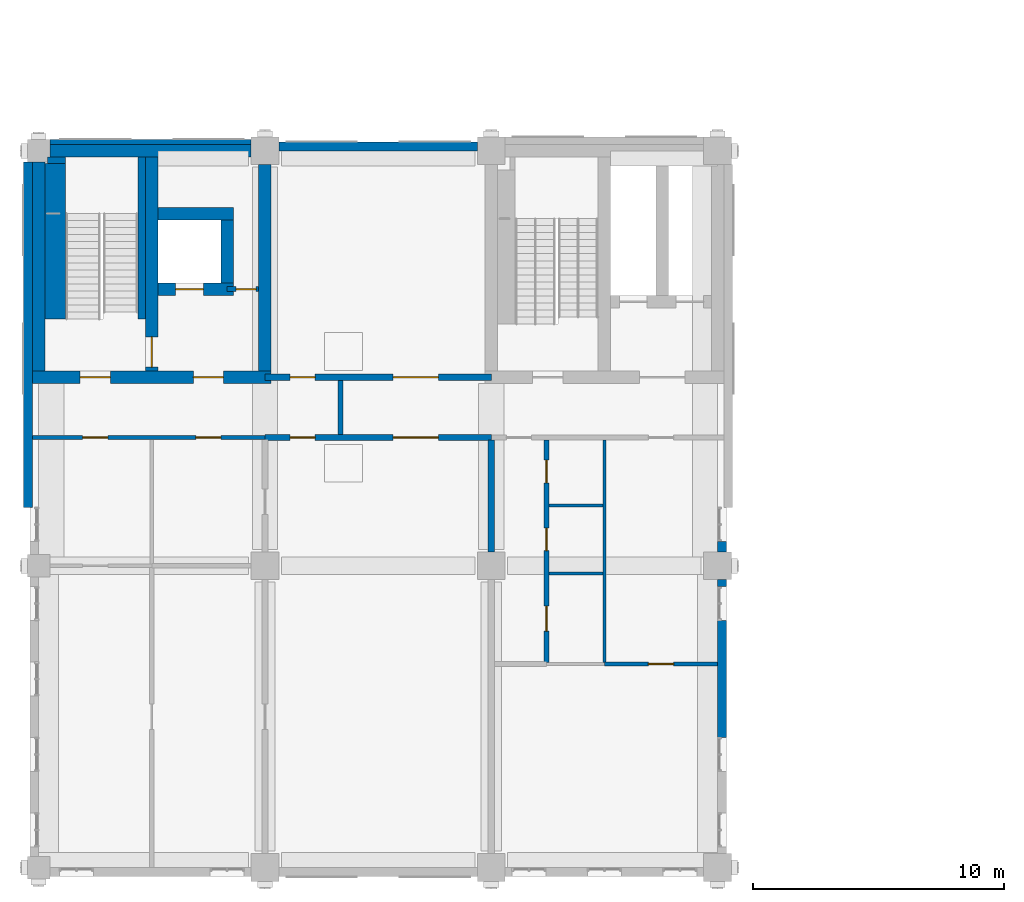
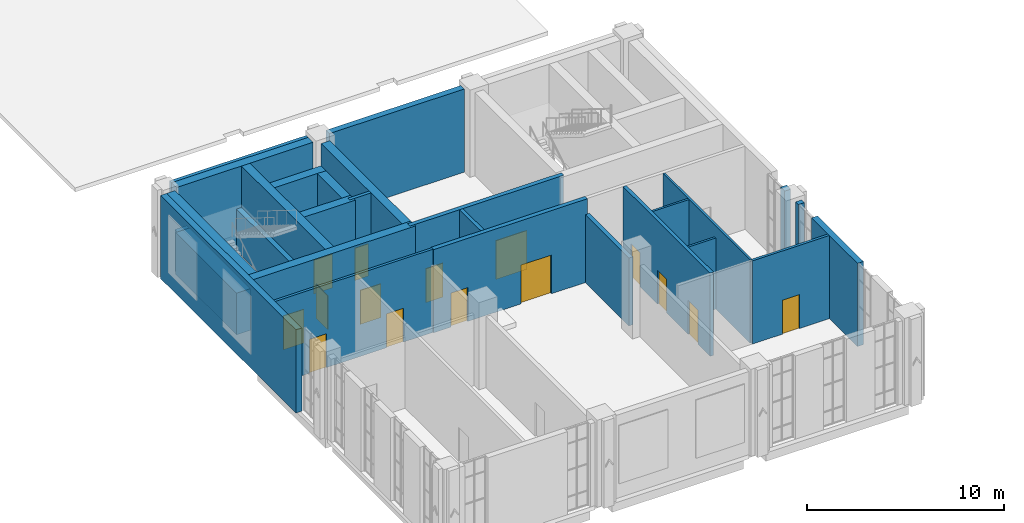
# One storey, part 19 of 33: 28 walls, 15 doors, 15 openings.
"""IFC4 building model written with IfcOpenShell, lengths in metres."""

from ifc_helpers import new_model, si_unit, direction, frame, frame_2d, origin, place, context, subcontext, project, spatial, rectangle, extrude, material, layer, layer_set, type_object, element, fill, save


model = new_model("IFC4")

# Units and contexts
model_context = context("Model", 3, precision=1e-05, world=origin(), true_north=direction((0.0, 1.0)))
body_context = subcontext(model_context, "Body", "Model", "MODEL_VIEW")
ifc_project = project(units=[si_unit("LENGTHUNIT", "METRE"), si_unit("AREAUNIT", "SQUARE_METRE"), si_unit("VOLUMEUNIT", "CUBIC_METRE"), si_unit("PLANEANGLEUNIT", "RADIAN"), si_unit("MASSUNIT", "GRAM", prefix="KILO")], contexts=[model_context])

# Site, building, storey
site_placement = place(None, origin())
site = spatial("IfcSite", under=ifc_project, at=site_placement, CompositionType="ELEMENT")
building_placement = place(site_placement, origin())
building = spatial("IfcBuilding", under=site, at=building_placement, Name="Aurelan Courthouse", CompositionType="ELEMENT")
storey_placement = place(building_placement, frame((0.0, 0.0, 22.800048828125)))
storey = spatial("IfcBuildingStorey", under=building, at=storey_placement, Name="L04", CompositionType="ELEMENT", Elevation=22.800048828125)

# Wall, openings, doors
ifc_material_1 = material(Name="Gypsum board on metal studs")
ifc_layer_1 = layer(ifc_material_1, 0.14990234375)
ifc_layer_set_1 = layer_set([ifc_layer_1], Name="Gypsum board on metal studs")
wall_type_1 = type_object("IfcWallType", Name="Corridor partition 150 EI 60", PredefinedType="PARTITIONING", material=ifc_layer_set_1)
wall_1_placement = place(storey_placement, frame((-0.25, 17.10009765625, 0.0), z_axis=(0.0, 0.0, 1.0), x_axis=(1.0, 0.0, 0.0)))
wall_1 = element("IfcWall", 1, at=wall_1_placement, inside=storey, type_object=wall_type_1, Name="Corridor partition L04-008", PredefinedType="PARTITIONING", context=body_context, shape_type="SweptSolid", body=[
    extrude(rectangle(XDim=9.25, YDim=0.14990234375, at=frame_2d((4.625, 0.0))), origin(), (0.0, 0.0, 1.0), 5.14990234375),
])
opening_1_placement = place(wall_1_placement, frame((3.0, 0.0, 0.0), z_axis=(0.0, 0.0, 1.0), x_axis=(-1.0, 0.0, 0.0)))
opening_1 = element("IfcOpeningElement", 2, at=opening_1_placement, cuts=wall_1, Name="Opening D-L04-061", PredefinedType="OPENING", context=body_context, shape_type="SweptSolid", body=[
    extrude(rectangle(XDim=1.0, YDim=2.10009765625, at=frame_2d((0.5, 1.050048828125))), frame((0.0, 0.0849609375, 0.0), z_axis=(0.0, -1.0, 0.0), x_axis=(1.0, 0.0, 0.0)), (0.0, 0.0, 1.0), 0.169921875),
])
opening_2_placement = place(wall_1_placement, frame((7.5, 0.0, 0.0), z_axis=(0.0, 0.0, 1.0), x_axis=(-1.0, 0.0, 0.0)))
opening_2 = element("IfcOpeningElement", 3, at=opening_2_placement, cuts=wall_1, Name="Opening D-L04-062", PredefinedType="OPENING", context=body_context, shape_type="SweptSolid", body=[
    extrude(rectangle(XDim=1.0, YDim=2.10009765625, at=frame_2d((0.5, 1.050048828125))), frame((0.0, 0.0849609375, 0.0), z_axis=(0.0, -1.0, 0.0), x_axis=(1.0, 0.0, 0.0)), (0.0, 0.0, 1.0), 0.169921875),
])
ifc_material_2 = material(Name="Steel", Category="steel")
door_type_1 = type_object("IfcDoorType", Name="Single door 1000 x 2100 FD60", OperationType="SINGLE_SWING_LEFT", PredefinedType="DOOR", material=ifc_material_2)
door_1_placement = place(opening_1_placement, origin())
door_1 = element("IfcDoor", 4, at=door_1_placement, inside=storey, type_object=door_type_1, Name="Single door D-L04-061", OperationType="SINGLE_SWING_LEFT", OverallHeight=2.10009765625, OverallWidth=1.0, PredefinedType="DOOR", context=body_context, shape_type="SweptSolid", body=[
    extrude(rectangle(XDim=1.0, YDim=2.10009765625, at=frame_2d((0.5, 1.050048828125))), frame((0.0, 0.02490234375, 0.0), z_axis=(0.0, -1.0, 0.0), x_axis=(1.0, 0.0, 0.0)), (0.0, 0.0, 1.0), 0.050048828125),
])
fill(opening_1, door_1)
door_2_placement = place(opening_2_placement, origin())
door_2 = element("IfcDoor", 5, at=door_2_placement, inside=storey, type_object=door_type_1, Name="Single door D-L04-062", OperationType="SINGLE_SWING_RIGHT", OverallHeight=2.10009765625, OverallWidth=1.0, PredefinedType="DOOR", context=body_context, shape_type="SweptSolid", body=[
    extrude(rectangle(XDim=1.0, YDim=2.10009765625, at=frame_2d((0.5, 1.050048828125))), frame((0.0, 0.02490234375, 0.0), z_axis=(0.0, -1.0, 0.0), x_axis=(1.0, 0.0, 0.0)), (0.0, 0.0, 1.0), 0.050048828125),
])
fill(opening_2, door_2)

ifc_material_3 = material(Name="Masonry block", Category="masonry")
ifc_layer_2 = layer(ifc_material_3, 0.25)
ifc_layer_set_2 = layer_set([ifc_layer_2], Name="Masonry block")
wall_type_2 = type_object("IfcWallType", Name="Courtroom wall 250 EI 60", PredefinedType="PARTITIONING", material=ifc_layer_set_2)
wall_2_placement = place(storey_placement, frame((9.0, 17.10009765625, 0.0), z_axis=(0.0, 0.0, 1.0), x_axis=(1.0, 0.0, 0.0)))
wall_2 = element("IfcWall", 6, at=wall_2_placement, inside=storey, type_object=wall_type_2, Name="Courtroom wall L04-009", PredefinedType="PARTITIONING", context=body_context, shape_type="SweptSolid", body=[
    extrude(rectangle(XDim=9.0, YDim=0.25, at=frame_2d((4.5, 0.0))), origin(), (0.0, 0.0, 1.0), 5.14990234375),
])
opening_3_placement = place(wall_2_placement, frame((6.900146484375, 0.0, 0.0), z_axis=(0.0, 0.0, 1.0), x_axis=(-1.0, 0.0, 0.0)))
opening_3 = element("IfcOpeningElement", 7, at=opening_3_placement, cuts=wall_2, Name="Opening D-L04-057", PredefinedType="OPENING", context=body_context, shape_type="SweptSolid", body=[
    extrude(rectangle(XDim=1.800048828125, YDim=2.39990234375, at=frame_2d((0.89990234375, 1.199951171875))), frame((0.0, 0.135009765625, 0.0), z_axis=(0.0, -1.0, 0.0), x_axis=(1.0, 0.0, 0.0)), (0.0, 0.0, 1.0), 0.27001953125),
])
opening_4_placement = place(wall_2_placement, frame((2.0, 0.0, 0.0), z_axis=(0.0, 0.0, 1.0), x_axis=(-1.0, 0.0, 0.0)))
opening_4 = element("IfcOpeningElement", 8, at=opening_4_placement, cuts=wall_2, Name="Opening D-L04-058", PredefinedType="OPENING", context=body_context, shape_type="SweptSolid", body=[
    extrude(rectangle(XDim=1.0, YDim=2.10009765625, at=frame_2d((0.5, 1.050048828125))), frame((0.0, 0.135009765625, 0.0), z_axis=(0.0, -1.0, 0.0), x_axis=(1.0, 0.0, 0.0)), (0.0, 0.0, 1.0), 0.27001953125),
])
door_type_2 = type_object("IfcDoorType", Name="Double door 1800 x 2400 FD30", OperationType="DOUBLE_DOOR_SINGLE_SWING", PredefinedType="DOOR", material=ifc_material_2)
door_3_placement = place(opening_3_placement, origin())
door_3 = element("IfcDoor", 9, at=door_3_placement, inside=storey, type_object=door_type_2, Name="Double door D-L04-057", OperationType="DOUBLE_DOOR_SINGLE_SWING", OverallHeight=2.39990234375, OverallWidth=1.800048828125, PredefinedType="DOOR", context=body_context, shape_type="SweptSolid", body=[
    extrude(rectangle(XDim=1.800048828125, YDim=2.39990234375, at=frame_2d((0.89990234375, 1.199951171875))), frame((0.0, 0.02490234375, 0.0), z_axis=(0.0, -1.0, 0.0), x_axis=(1.0, 0.0, 0.0)), (0.0, 0.0, 1.0), 0.050048828125),
])
fill(opening_3, door_3)
door_type_3 = type_object("IfcDoorType", Name="Single door 1000 x 2100 FD30", OperationType="SINGLE_SWING_LEFT", PredefinedType="DOOR", material=ifc_material_2)
door_4_placement = place(opening_4_placement, origin())
door_4 = element("IfcDoor", 10, at=door_4_placement, inside=storey, type_object=door_type_3, Name="Single door D-L04-058", OperationType="SINGLE_SWING_RIGHT", OverallHeight=2.10009765625, OverallWidth=1.0, PredefinedType="DOOR", context=body_context, shape_type="SweptSolid", body=[
    extrude(rectangle(XDim=1.0, YDim=2.10009765625, at=frame_2d((0.5, 1.050048828125))), frame((0.0, 0.02490234375, 0.0), z_axis=(0.0, -1.0, 0.0), x_axis=(1.0, 0.0, 0.0)), (0.0, 0.0, 1.0), 0.050048828125),
])
fill(opening_4, door_4)

wall_3_placement = place(storey_placement, frame((9.0, 19.5, 0.0), z_axis=(0.0, 0.0, 1.0), x_axis=(1.0, 0.0, 0.0)))
wall_3 = element("IfcWall", 11, at=wall_3_placement, inside=storey, type_object=wall_type_2, Name="Courtroom wall L04-011", PredefinedType="PARTITIONING", context=body_context, shape_type="SweptSolid", body=[
    extrude(rectangle(XDim=9.0, YDim=0.25, at=frame_2d((4.5, 0.0))), origin(), (0.0, 0.0, 1.0), 5.14990234375),
])
opening_5_placement = place(wall_3_placement, frame((5.10009765625, 0.0, 0.0)))
opening_5 = element("IfcOpeningElement", 12, at=opening_5_placement, cuts=wall_3, Name="Opening D-L04-059", PredefinedType="OPENING", context=body_context, shape_type="SweptSolid", body=[
    extrude(rectangle(XDim=1.800048828125, YDim=2.39990234375, at=frame_2d((0.89990234375, 1.199951171875))), frame((0.0, 0.135009765625, 0.0), z_axis=(0.0, -1.0, 0.0), x_axis=(1.0, 0.0, 0.0)), (0.0, 0.0, 1.0), 0.27001953125),
])
opening_6_placement = place(wall_3_placement, frame((1.0, 0.0, 0.0)))
opening_6 = element("IfcOpeningElement", 13, at=opening_6_placement, cuts=wall_3, Name="Opening D-L04-060", PredefinedType="OPENING", context=body_context, shape_type="SweptSolid", body=[
    extrude(rectangle(XDim=1.0, YDim=2.10009765625, at=frame_2d((0.5, 1.050048828125))), frame((0.0, 0.135009765625, 0.0), z_axis=(0.0, -1.0, 0.0), x_axis=(1.0, 0.0, 0.0)), (0.0, 0.0, 1.0), 0.27001953125),
])
door_5_placement = place(opening_5_placement, origin())
door_5 = element("IfcDoor", 14, at=door_5_placement, inside=storey, type_object=door_type_2, Name="Double door D-L04-059", OperationType="DOUBLE_DOOR_SINGLE_SWING", OverallHeight=2.39990234375, OverallWidth=1.800048828125, PredefinedType="DOOR", context=body_context, shape_type="SweptSolid", body=[
    extrude(rectangle(XDim=1.800048828125, YDim=2.39990234375, at=frame_2d((0.89990234375, 1.199951171875))), frame((0.0, 0.02490234375, 0.0), z_axis=(0.0, -1.0, 0.0), x_axis=(1.0, 0.0, 0.0)), (0.0, 0.0, 1.0), 0.050048828125),
])
fill(opening_5, door_5)
door_6_placement = place(opening_6_placement, origin())
door_6 = element("IfcDoor", 15, at=door_6_placement, inside=storey, type_object=door_type_3, Name="Single door D-L04-060", OperationType="SINGLE_SWING_LEFT", OverallHeight=2.10009765625, OverallWidth=1.0, PredefinedType="DOOR", context=body_context, shape_type="SweptSolid", body=[
    extrude(rectangle(XDim=1.0, YDim=2.10009765625, at=frame_2d((0.5, 1.050048828125))), frame((0.0, 0.02490234375, 0.0), z_axis=(0.0, -1.0, 0.0), x_axis=(1.0, 0.0, 0.0)), (0.0, 0.0, 1.0), 0.050048828125),
])
fill(opening_6, door_6)

# Walls
wall_4_placement = place(storey_placement, frame((18.0, 12.550048828125, 0.0), z_axis=(0.0, 0.0, 1.0), x_axis=(0.0, 1.0, 0.0)))
element("IfcWall", 16, at=wall_4_placement, inside=storey, type_object=wall_type_2, Name="Courtroom wall L04-047", PredefinedType="PARTITIONING", context=body_context, shape_type="SweptSolid", body=[
    extrude(rectangle(XDim=4.449951171875, YDim=0.25, at=frame_2d((2.22509765625, 0.0))), origin(), (0.0, 0.0, 1.0), 4.199951171875),
])
ifc_material_4 = material(Name="Limestone cladding", Category="masonry")
ifc_layer_3 = layer(ifc_material_4, 0.054931640625, Name="Facing")
ifc_material_5 = material(Name="Ventilated cavity")
ifc_layer_4 = layer(ifc_material_5, 0.02490234375, ventilated=True, Name="Ventilated cavity")
ifc_material_6 = material(Name="Mineral wool insulation")
ifc_layer_5 = layer(ifc_material_6, 0.030029296875, Name="Insulation")
ifc_material_7 = material(Name="Concrete C30", Category="concrete")
ifc_layer_6 = layer(ifc_material_7, 0.090087890625, Name="Structure")
ifc_layer_set_3 = layer_set([ifc_layer_3, ifc_layer_4, ifc_layer_5, ifc_layer_6], Name="Concrete C30")
wall_type_3 = type_object("IfcWallType", Name="Courts' Floors stone-faced wall 200", PredefinedType="SOLIDWALL", material=ifc_layer_set_3)
wall_5_placement = place(storey_placement, frame((0.449951171875, 28.85009765625, 0.0), z_axis=(0.0, 0.0, 1.0), x_axis=(1.0, 0.0, 0.0)))
element("IfcWall", 17, at=wall_5_placement, inside=storey, type_object=wall_type_3, Name="Facade wall FW-V5-L04-009", PredefinedType="SOLIDWALL", context=body_context, shape_type="SweptSolid", body=[
    extrude(rectangle(XDim=8.0, YDim=0.199951171875, at=frame_2d((4.0, 0.0))), origin(), (0.0, 0.0, 1.0), 5.14990234375),
])
ifc_layer_7 = layer(ifc_material_4, 0.10009765625, Name="Facing")
ifc_layer_8 = layer(ifc_material_5, 0.02490234375, ventilated=True, Name="Ventilated cavity")
ifc_layer_9 = layer(ifc_material_6, 0.050048828125, Name="Insulation")
ifc_layer_10 = layer(ifc_material_7, 0.175048828125, Name="Structure")
ifc_layer_set_4 = layer_set([ifc_layer_7, ifc_layer_8, ifc_layer_9, ifc_layer_10], Name="Concrete C30")
wall_type_4 = type_object("IfcWallType", Name="Courts' Floors stone-faced wall 350", PredefinedType="SOLIDWALL", material=ifc_layer_set_4)
wall_6_placement = place(storey_placement, frame((9.550048828125, 28.675048828125, 0.0), z_axis=(0.0, 0.0, 1.0), x_axis=(1.0, 0.0, 0.0)))
element("IfcWall", 18, at=wall_6_placement, inside=storey, type_object=wall_type_4, Name="Facade wall FW-V5-L04-010", PredefinedType="SOLIDWALL", context=body_context, shape_type="SweptSolid", body=[
    extrude(rectangle(XDim=7.89990234375, YDim=0.35009765625, at=frame_2d((3.949951171875, 0.0))), origin(), (0.0, 0.0, 1.0), 5.14990234375),
])
wall_7_placement = place(storey_placement, frame((27.175048828125, 5.175048828125, 0.0), z_axis=(0.0, 0.0, 1.0), x_axis=(0.0, 1.0, 0.0)))
element("IfcWall", 19, at=wall_7_placement, inside=storey, type_object=wall_type_4, Name="Facade wall FW-V5-L04-014", PredefinedType="SOLIDWALL", context=body_context, shape_type="SweptSolid", body=[
    extrude(rectangle(XDim=4.64990234375, YDim=0.35009765625, at=frame_2d((2.324951171875, 0.0))), origin(), (0.0, 0.0, 1.0), 5.14990234375),
])
wall_8_placement = place(storey_placement, frame((27.175048828125, 11.175048828125, 0.0), z_axis=(0.0, 0.0, 1.0), x_axis=(0.0, 1.0, 0.0)))
element("IfcWall", 20, at=wall_8_placement, inside=storey, type_object=wall_type_4, Name="Facade wall FW-V5-L04-015", PredefinedType="SOLIDWALL", context=body_context, shape_type="SweptSolid", body=[
    extrude(rectangle(XDim=0.27490234375, YDim=0.35009765625, at=frame_2d((0.137451171875, 0.0))), origin(), (0.0, 0.0, 1.0), 5.14990234375),
])
wall_9_placement = place(storey_placement, frame((27.175048828125, 12.550048828125, 0.0), z_axis=(0.0, 0.0, 1.0), x_axis=(0.0, 1.0, 0.0)))
element("IfcWall", 21, at=wall_9_placement, inside=storey, type_object=wall_type_4, Name="Facade wall FW-V5-L04-016", PredefinedType="SOLIDWALL", context=body_context, shape_type="SweptSolid", body=[
    extrude(rectangle(XDim=0.425048828125, YDim=0.35009765625, at=frame_2d((0.21240234375, 0.0))), origin(), (0.0, 0.0, 1.0), 5.14990234375),
])
wall_10_placement = place(storey_placement, frame((-0.425048828125, 14.324951171875, 0.0), z_axis=(0.0, 0.0, 1.0), x_axis=(0.0, 1.0, 0.0)))
element("IfcWall", 22, at=wall_10_placement, inside=storey, type_object=wall_type_4, Name="Facade wall FW-V5-L04-024", PredefinedType="SOLIDWALL", context=body_context, shape_type="SweptSolid", body=[
    extrude(rectangle(XDim=13.72509765625, YDim=0.35009765625, at=frame_2d((6.862548828125, 0.0))), origin(), (0.0, 0.0, 1.0), 5.14990234375),
])
ifc_layer_11 = layer(ifc_material_3, 0.199951171875)
ifc_layer_set_5 = layer_set([ifc_layer_11], Name="Masonry block")
wall_type_5 = type_object("IfcWallType", Name="Lift lobby wall 200 EI 60", PredefinedType="PARTITIONING", material=ifc_layer_set_5)
wall_11_placement = place(storey_placement, frame((12.0, 17.22509765625, 0.0), z_axis=(0.0, 0.0, 1.0), x_axis=(0.0, 1.0, 0.0)))
element("IfcWall", 23, at=wall_11_placement, inside=storey, type_object=wall_type_5, Name="Lift lobby wall L04-045", PredefinedType="PARTITIONING", context=body_context, shape_type="SweptSolid", body=[
    extrude(rectangle(XDim=2.14990234375, YDim=0.199951171875, at=frame_2d((1.074951171875, 0.0))), origin(), (0.0, 0.0, 1.0), 5.14990234375),
])

# Wall, openings, doors
wall_12_placement = place(storey_placement, frame((20.199951171875, 8.16259765625, 0.0), z_axis=(0.0, 0.0, 1.0), x_axis=(0.0, 1.0, 0.0)))
wall_12 = element("IfcWall", 24, at=wall_12_placement, inside=storey, type_object=wall_type_5, Name="Lift lobby wall L04-048", PredefinedType="PARTITIONING", context=body_context, shape_type="SweptSolid", body=[
    extrude(rectangle(XDim=8.83740234375, YDim=0.199951171875, at=frame_2d((4.418701171875, 0.0))), origin(), (0.0, 0.0, 1.0), 5.14990234375),
])
opening_7_placement = place(wall_12_placement, frame((8.037353515625, 0.0, 0.0), z_axis=(0.0, 0.0, 1.0), x_axis=(-1.0, 0.0, 0.0)))
opening_7 = element("IfcOpeningElement", 25, at=opening_7_placement, cuts=wall_12, Name="Opening D-L04-070", PredefinedType="OPENING", context=body_context, shape_type="SweptSolid", body=[
    extrude(rectangle(XDim=0.89990234375, YDim=2.10009765625, at=frame_2d((0.449951171875, 1.050048828125))), frame((0.0, 0.10986328125, 0.0), z_axis=(0.0, -1.0, 0.0), x_axis=(1.0, 0.0, 0.0)), (0.0, 0.0, 1.0), 0.219970703125),
])
opening_8_placement = place(wall_12_placement, frame((5.33740234375, 0.0, 0.0), z_axis=(0.0, 0.0, 1.0), x_axis=(-1.0, 0.0, 0.0)))
opening_8 = element("IfcOpeningElement", 26, at=opening_8_placement, cuts=wall_12, Name="Opening D-L04-071", PredefinedType="OPENING", context=body_context, shape_type="SweptSolid", body=[
    extrude(rectangle(XDim=0.89990234375, YDim=2.10009765625, at=frame_2d((0.449951171875, 1.050048828125))), frame((0.0, 0.10986328125, 0.0), z_axis=(0.0, -1.0, 0.0), x_axis=(1.0, 0.0, 0.0)), (0.0, 0.0, 1.0), 0.219970703125),
])
opening_9_placement = place(wall_12_placement, frame((2.237548828125, 0.0, 0.0), z_axis=(0.0, 0.0, 1.0), x_axis=(-1.0, 0.0, 0.0)))
opening_9 = element("IfcOpeningElement", 27, at=opening_9_placement, cuts=wall_12, Name="Opening D-L04-072", PredefinedType="OPENING", context=body_context, shape_type="SweptSolid", body=[
    extrude(rectangle(XDim=1.0, YDim=2.10009765625, at=frame_2d((0.5, 1.050048828125))), frame((0.0, 0.10986328125, 0.0), z_axis=(0.0, -1.0, 0.0), x_axis=(1.0, 0.0, 0.0)), (0.0, 0.0, 1.0), 0.219970703125),
])
door_7_placement = place(opening_9_placement, origin())
door_7 = element("IfcDoor", 28, at=door_7_placement, inside=storey, type_object=door_type_1, Name="Single door D-L04-072", OperationType="SINGLE_SWING_RIGHT", OverallHeight=2.10009765625, OverallWidth=1.0, PredefinedType="DOOR", context=body_context, shape_type="SweptSolid", body=[
    extrude(rectangle(XDim=1.0, YDim=2.10009765625, at=frame_2d((0.5, 1.050048828125))), frame((0.0, 0.02490234375, 0.0), z_axis=(0.0, -1.0, 0.0), x_axis=(1.0, 0.0, 0.0)), (0.0, 0.0, 1.0), 0.050048828125),
])
fill(opening_9, door_7)
door_type_4 = type_object("IfcDoorType", Name="Single door 900 x 2100 FD60", OperationType="SINGLE_SWING_LEFT", PredefinedType="DOOR", material=ifc_material_2)
door_8_placement = place(opening_7_placement, origin())
door_8 = element("IfcDoor", 29, at=door_8_placement, inside=storey, type_object=door_type_4, Name="Single door D-L04-070", OperationType="SINGLE_SWING_RIGHT", OverallHeight=2.10009765625, OverallWidth=0.89990234375, PredefinedType="DOOR", context=body_context, shape_type="SweptSolid", body=[
    extrude(rectangle(XDim=0.89990234375, YDim=2.10009765625, at=frame_2d((0.449951171875, 1.050048828125))), frame((0.0, 0.02490234375, 0.0), z_axis=(0.0, -1.0, 0.0), x_axis=(1.0, 0.0, 0.0)), (0.0, 0.0, 1.0), 0.050048828125),
])
fill(opening_7, door_8)
door_9_placement = place(opening_8_placement, origin())
door_9 = element("IfcDoor", 30, at=door_9_placement, inside=storey, type_object=door_type_4, Name="Single door D-L04-071", OperationType="SINGLE_SWING_LEFT", OverallHeight=2.10009765625, OverallWidth=0.89990234375, PredefinedType="DOOR", context=body_context, shape_type="SweptSolid", body=[
    extrude(rectangle(XDim=0.89990234375, YDim=2.10009765625, at=frame_2d((0.449951171875, 1.050048828125))), frame((0.0, 0.02490234375, 0.0), z_axis=(0.0, -1.0, 0.0), x_axis=(1.0, 0.0, 0.0)), (0.0, 0.0, 1.0), 0.050048828125),
])
fill(opening_8, door_9)

# Wall, opening, door
ifc_layer_12 = layer(ifc_material_1, 0.14990234375)
ifc_layer_set_6 = layer_set([ifc_layer_12], Name="Gypsum board on metal studs")
wall_type_6 = type_object("IfcWallType", Name="Partition 150 NOT RATED", PredefinedType="PARTITIONING", material=ifc_layer_set_6)
wall_13_placement = place(storey_placement, frame((22.5, 8.10009765625, 0.0), z_axis=(0.0, 0.0, 1.0), x_axis=(1.0, 0.0, 0.0)))
wall_13 = element("IfcWall", 31, at=wall_13_placement, inside=storey, type_object=wall_type_6, Name="Partition L04-003", PredefinedType="PARTITIONING", context=body_context, shape_type="SweptSolid", body=[
    extrude(rectangle(XDim=4.5, YDim=0.14990234375, at=frame_2d((2.25, 0.0))), origin(), (0.0, 0.0, 1.0), 5.14990234375),
])
opening_10_placement = place(wall_13_placement, frame((2.75, 0.0, 0.0), z_axis=(0.0, 0.0, 1.0), x_axis=(-1.0, 0.0, 0.0)))
opening_10 = element("IfcOpeningElement", 32, at=opening_10_placement, cuts=wall_13, Name="Opening D-L04-069", PredefinedType="OPENING", context=body_context, shape_type="SweptSolid", body=[
    extrude(rectangle(XDim=1.0, YDim=2.10009765625, at=frame_2d((0.5, 1.050048828125))), frame((0.0, 0.0849609375, 0.0), z_axis=(0.0, -1.0, 0.0), x_axis=(1.0, 0.0, 0.0)), (0.0, 0.0, 1.0), 0.169921875),
])
ifc_material_8 = material(Name="Timber", Category="wood")
door_type_5 = type_object("IfcDoorType", Name="Single door 1000 x 2100 NOT RATED", OperationType="SINGLE_SWING_LEFT", PredefinedType="DOOR", material=ifc_material_8)
door_10_placement = place(opening_10_placement, origin())
door_10 = element("IfcDoor", 33, at=door_10_placement, inside=storey, type_object=door_type_5, Name="Single door D-L04-069", OperationType="SINGLE_SWING_LEFT", OverallHeight=2.10009765625, OverallWidth=1.0, PredefinedType="DOOR", context=body_context, shape_type="SweptSolid", body=[
    extrude(rectangle(XDim=1.0, YDim=2.10009765625, at=frame_2d((0.5, 1.050048828125))), frame((0.0, 0.02490234375, 0.0), z_axis=(0.0, -1.0, 0.0), x_axis=(1.0, 0.0, 0.0)), (0.0, 0.0, 1.0), 0.050048828125),
])
fill(opening_10, door_10)

# Wall, openings, doors
ifc_material_9 = material(Name="Concrete C50", Category="concrete")
ifc_layer_13 = layer(ifc_material_9, 0.5)
ifc_layer_set_7 = layer_set([ifc_layer_13], Name="Concrete C50")
wall_type_7 = type_object("IfcWallType", Name="RC shear wall 500", PredefinedType="SHEAR", material=ifc_layer_set_7)
wall_14_placement = place(storey_placement, frame((-0.25, 19.5, 0.0), z_axis=(0.0, 0.0, 1.0), x_axis=(1.0, 0.0, 0.0)))
wall_14 = element("IfcWall", 34, at=wall_14_placement, inside=storey, type_object=wall_type_7, Name="Core wall SW-L04-001", PredefinedType="SHEAR", context=body_context, shape_type="SweptSolid", body=[
    extrude(rectangle(XDim=9.5, YDim=0.5, at=frame_2d((4.75, 0.0))), origin(), (0.0, 0.0, 1.0), 5.14990234375),
])
opening_11_placement = place(wall_14_placement, frame((1.89990234375, 0.0, 0.0)))
opening_11 = element("IfcOpeningElement", 35, at=opening_11_placement, cuts=wall_14, Name="Opening D-L04-048", PredefinedType="OPENING", context=body_context, shape_type="SweptSolid", body=[
    extrude(rectangle(XDim=1.199951171875, YDim=2.10009765625, at=frame_2d((0.60009765625, 1.050048828125))), frame((0.0, 0.260009765625, 0.0), z_axis=(0.0, -1.0, 0.0), x_axis=(1.0, 0.0, 0.0)), (0.0, 0.0, 1.0), 0.52001953125),
])
opening_12_placement = place(wall_14_placement, frame((6.39990234375, 0.0, 0.0)))
opening_12 = element("IfcOpeningElement", 36, at=opening_12_placement, cuts=wall_14, Name="Opening D-L04-050", PredefinedType="OPENING", context=body_context, shape_type="SweptSolid", body=[
    extrude(rectangle(XDim=1.199951171875, YDim=2.10009765625, at=frame_2d((0.60009765625, 1.050048828125))), frame((0.0, 0.260009765625, 0.0), z_axis=(0.0, -1.0, 0.0), x_axis=(1.0, 0.0, 0.0)), (0.0, 0.0, 1.0), 0.52001953125),
])
door_type_6 = type_object("IfcDoorType", Name="Single door 1200 x 2100 FD90", OperationType="SINGLE_SWING_LEFT", PredefinedType="DOOR", material=ifc_material_2)
door_11_placement = place(opening_11_placement, origin())
door_11 = element("IfcDoor", 37, at=door_11_placement, inside=storey, type_object=door_type_6, Name="Single door D-L04-048", OperationType="SINGLE_SWING_LEFT", OverallHeight=2.10009765625, OverallWidth=1.199951171875, PredefinedType="DOOR", context=body_context, shape_type="SweptSolid", body=[
    extrude(rectangle(XDim=1.199951171875, YDim=2.10009765625, at=frame_2d((0.60009765625, 1.050048828125))), frame((0.0, 0.02490234375, 0.0), z_axis=(0.0, -1.0, 0.0), x_axis=(1.0, 0.0, 0.0)), (0.0, 0.0, 1.0), 0.050048828125),
])
fill(opening_11, door_11)
door_12_placement = place(opening_12_placement, origin())
door_12 = element("IfcDoor", 38, at=door_12_placement, inside=storey, type_object=door_type_6, Name="Single door D-L04-050", OperationType="SINGLE_SWING_LEFT", OverallHeight=2.10009765625, OverallWidth=1.199951171875, PredefinedType="DOOR", context=body_context, shape_type="SweptSolid", body=[
    extrude(rectangle(XDim=1.199951171875, YDim=2.10009765625, at=frame_2d((0.60009765625, 1.050048828125))), frame((0.0, 0.02490234375, 0.0), z_axis=(0.0, -1.0, 0.0), x_axis=(1.0, 0.0, 0.0)), (0.0, 0.0, 1.0), 0.050048828125),
])
fill(opening_12, door_12)

# Wall
wall_15_placement = place(storey_placement, frame((0.0, 19.75, 0.0), z_axis=(0.0, 0.0, 1.0), x_axis=(0.0, 1.0, 0.0)))
element("IfcWall", 39, at=wall_15_placement, inside=storey, type_object=wall_type_7, Name="Core wall SW-L04-003", PredefinedType="SHEAR", context=body_context, shape_type="SweptSolid", body=[
    extrude(rectangle(XDim=8.300048828125, YDim=0.5, at=frame_2d((4.14990234375, 0.0))), origin(), (0.0, 0.0, 1.0), 5.14990234375),
])

# Wall, opening, door
wall_16_placement = place(storey_placement, frame((4.5, 19.75, 0.0), z_axis=(0.0, 0.0, 1.0), x_axis=(0.0, 1.0, 0.0)))
wall_16 = element("IfcWall", 40, at=wall_16_placement, inside=storey, type_object=wall_type_7, Name="Core wall SW-L04-004", PredefinedType="SHEAR", context=body_context, shape_type="SweptSolid", body=[
    extrude(rectangle(XDim=8.5, YDim=0.5, at=frame_2d((4.25, 0.0))), origin(), (0.0, 0.0, 1.0), 5.14990234375),
])
opening_13_placement = place(wall_16_placement, frame((0.14990234375, 0.0, 0.0)))
opening_13 = element("IfcOpeningElement", 41, at=opening_13_placement, cuts=wall_16, Name="Opening D-L04-049", PredefinedType="OPENING", context=body_context, shape_type="SweptSolid", body=[
    extrude(rectangle(XDim=1.199951171875, YDim=2.10009765625, at=frame_2d((0.60009765625, 1.050048828125))), frame((0.0, 0.260009765625, 0.0), z_axis=(0.0, -1.0, 0.0), x_axis=(1.0, 0.0, 0.0)), (0.0, 0.0, 1.0), 0.52001953125),
])
door_13_placement = place(opening_13_placement, origin())
door_13 = element("IfcDoor", 42, at=door_13_placement, inside=storey, type_object=door_type_6, Name="Single door D-L04-049", OperationType="SINGLE_SWING_LEFT", OverallHeight=2.10009765625, OverallWidth=1.199951171875, PredefinedType="DOOR", context=body_context, shape_type="SweptSolid", body=[
    extrude(rectangle(XDim=1.199951171875, YDim=2.10009765625, at=frame_2d((0.60009765625, 1.050048828125))), frame((0.0, 0.02490234375, 0.0), z_axis=(0.0, -1.0, 0.0), x_axis=(1.0, 0.0, 0.0)), (0.0, 0.0, 1.0), 0.050048828125),
])
fill(opening_13, door_13)

# Wall
wall_17_placement = place(storey_placement, frame((9.0, 19.75, 0.0), z_axis=(0.0, 0.0, 1.0), x_axis=(0.0, 1.0, 0.0)))
element("IfcWall", 43, at=wall_17_placement, inside=storey, type_object=wall_type_7, Name="Core wall SW-L04-005", PredefinedType="SHEAR", context=body_context, shape_type="SweptSolid", body=[
    extrude(rectangle(XDim=8.199951171875, YDim=0.5, at=frame_2d((4.10009765625, 0.0))), origin(), (0.0, 0.0, 1.0), 5.14990234375),
])

# Wall, opening, door
wall_18_placement = place(storey_placement, frame((4.75, 23.0, 0.0), z_axis=(0.0, 0.0, 1.0), x_axis=(1.0, 0.0, 0.0)))
wall_18 = element("IfcWall", 44, at=wall_18_placement, inside=storey, type_object=wall_type_7, Name="Core wall SW-L04-011", PredefinedType="SHEAR", context=body_context, shape_type="SweptSolid", body=[
    extrude(rectangle(XDim=3.0, YDim=0.5, at=frame_2d((1.5, 0.0))), origin(), (0.0, 0.0, 1.0), 5.14990234375),
])
opening_14_placement = place(wall_18_placement, frame((0.699951171875, 0.0, 0.0)))
opening_14 = element("IfcOpeningElement", 45, at=opening_14_placement, cuts=wall_18, Name="Opening LD-V5-F1-L04", PredefinedType="OPENING", context=body_context, shape_type="SweptSolid", body=[
    extrude(rectangle(XDim=1.10009765625, YDim=2.10009765625, at=frame_2d((0.550048828125, 1.050048828125))), frame((0.0, 0.260009765625, 0.0), z_axis=(0.0, -1.0, 0.0), x_axis=(1.0, 0.0, 0.0)), (0.0, 0.0, 1.0), 0.52001953125),
])
door_type_7 = type_object("IfcDoorType", Name="Lift landing door 1100 x 2100 FD90", OperationType="SLIDING_TO_LEFT", PredefinedType="DOOR", material=ifc_material_2)
door_14_placement = place(opening_14_placement, origin())
door_14 = element("IfcDoor", 46, at=door_14_placement, inside=storey, type_object=door_type_7, Name="Lift landing door LD-V5-F1-L04", OperationType="SLIDING_TO_LEFT", OverallHeight=2.10009765625, OverallWidth=1.10009765625, PredefinedType="DOOR", context=body_context, shape_type="SweptSolid", body=[
    extrude(rectangle(XDim=1.10009765625, YDim=2.10009765625, at=frame_2d((0.550048828125, 1.050048828125))), frame((0.0, 0.02490234375, 0.0), z_axis=(0.0, -1.0, 0.0), x_axis=(1.0, 0.0, 0.0)), (0.0, 0.0, 1.0), 0.050048828125),
])
fill(opening_14, door_14)

# Walls
wall_19_placement = place(storey_placement, frame((7.5, 23.25, 0.0), z_axis=(0.0, 0.0, 1.0), x_axis=(0.0, 1.0, 0.0)))
element("IfcWall", 47, at=wall_19_placement, inside=storey, type_object=wall_type_7, Name="Core wall SW-L04-012", PredefinedType="SHEAR", context=body_context, shape_type="SweptSolid", body=[
    extrude(rectangle(XDim=2.5, YDim=0.5, at=frame_2d((1.25, 0.0))), origin(), (0.0, 0.0, 1.0), 5.14990234375),
])
wall_20_placement = place(storey_placement, frame((4.75, 26.0, 0.0), z_axis=(0.0, 0.0, 1.0), x_axis=(1.0, 0.0, 0.0)))
element("IfcWall", 48, at=wall_20_placement, inside=storey, type_object=wall_type_7, Name="Core wall SW-L04-013", PredefinedType="SHEAR", context=body_context, shape_type="SweptSolid", body=[
    extrude(rectangle(XDim=3.0, YDim=0.5, at=frame_2d((1.5, 0.0))), origin(), (0.0, 0.0, 1.0), 5.14990234375),
])
wall_21_placement = place(storey_placement, frame((0.449951171875, 28.5, 0.0), z_axis=(0.0, 0.0, 1.0), x_axis=(1.0, 0.0, 0.0)))
element("IfcWall", 49, at=wall_21_placement, inside=storey, type_object=wall_type_7, Name="Core wall SW-L04-014", PredefinedType="SHEAR", context=body_context, shape_type="SweptSolid", body=[
    extrude(rectangle(XDim=8.0, YDim=0.5, at=frame_2d((4.0, 0.0))), origin(), (0.0, 0.0, 1.0), 5.14990234375),
])

# Wall, opening, door
ifc_layer_14 = layer(ifc_material_7, 0.199951171875)
ifc_layer_set_8 = layer_set([ifc_layer_14], Name="Concrete C30")
wall_type_8 = type_object("IfcWallType", Name="Shaft wall 200 EI 120 load-bearing", PredefinedType="SHEAR", material=ifc_layer_set_8)
wall_22_placement = place(storey_placement, frame((7.5, 23.0, 0.0), z_axis=(0.0, 0.0, 1.0), x_axis=(1.0, 0.0, 0.0)))
wall_22 = element("IfcWall", 50, at=wall_22_placement, inside=storey, type_object=wall_type_8, Name="Shaft wall L04-012", PredefinedType="SHEAR", context=body_context, shape_type="SweptSolid", body=[
    extrude(rectangle(XDim=1.25, YDim=0.199951171875, at=frame_2d((0.625, 0.0))), origin(), (0.0, 0.0, 1.0), 5.14990234375),
])
opening_15_placement = place(wall_22_placement, frame((1.150146484375, 0.0, 0.0), z_axis=(0.0, 0.0, 1.0), x_axis=(-1.0, 0.0, 0.0)))
opening_15 = element("IfcOpeningElement", 51, at=opening_15_placement, cuts=wall_22, Name="Opening D-L04-052", PredefinedType="OPENING", context=body_context, shape_type="SweptSolid", body=[
    extrude(rectangle(XDim=0.800048828125, YDim=2.0, at=frame_2d((0.39990234375, 1.0))), frame((0.0, 0.10986328125, 0.0), z_axis=(0.0, -1.0, 0.0), x_axis=(1.0, 0.0, 0.0)), (0.0, 0.0, 1.0), 0.219970703125),
])
door_type_8 = type_object("IfcDoorType", Name="Single door 800 x 2000 FD90", OperationType="SINGLE_SWING_LEFT", PredefinedType="DOOR", material=ifc_material_2)
door_15_placement = place(opening_15_placement, origin())
door_15 = element("IfcDoor", 52, at=door_15_placement, inside=storey, type_object=door_type_8, Name="Single door D-L04-052", OperationType="SINGLE_SWING_LEFT", OverallHeight=2.0, OverallWidth=0.800048828125, PredefinedType="DOOR", context=body_context, shape_type="SweptSolid", body=[
    extrude(rectangle(XDim=0.800048828125, YDim=2.0, at=frame_2d((0.39990234375, 1.0))), frame((0.0, 0.02490234375, 0.0), z_axis=(0.0, -1.0, 0.0), x_axis=(1.0, 0.0, 0.0)), (0.0, 0.0, 1.0), 0.050048828125),
])
fill(opening_15, door_15)

# Walls
ifc_layer_15 = layer(ifc_material_7, 0.2900390625)
ifc_layer_set_9 = layer_set([ifc_layer_15], Name="Concrete C30")
wall_type_9 = type_object("IfcWallType", Name="Stair well wall 290 EI 120 load-bearing", PredefinedType="SHEAR", material=ifc_layer_set_9)
wall_23_placement = place(storey_placement, frame((4.10498046875, 21.81005859375, 0.0), z_axis=(0.0, 0.0, 1.0), x_axis=(0.0, 1.0, 0.0)))
element("IfcWall", 53, at=wall_23_placement, inside=storey, type_object=wall_type_9, Name="Stair well wall ST-5B-L04 B", PredefinedType="SHEAR", context=body_context, shape_type="SweptSolid", body=[
    extrude(rectangle(XDim=6.43994140625, YDim=0.2900390625, at=frame_2d((3.219970703125, 0.0))), origin(), (0.0, 0.0, 1.0), 2.587158203125),
])
ifc_layer_16 = layer(ifc_material_7, 0.7099609375)
ifc_layer_set_10 = layer_set([ifc_layer_16], Name="Concrete C30")
wall_type_10 = type_object("IfcWallType", Name="Stair well wall 710 EI 120 load-bearing", PredefinedType="SHEAR", material=ifc_layer_set_10)
wall_24_placement = place(storey_placement, frame((0.705078125, 28.0, 0.0), z_axis=(0.0, 0.0, 1.0), x_axis=(0.0, 1.0, 0.0)))
element("IfcWall", 54, at=wall_24_placement, inside=storey, type_object=wall_type_10, Name="Stair well wall ST-5B-L04 A2", PredefinedType="SHEAR", context=body_context, shape_type="SweptSolid", body=[
    extrude(rectangle(XDim=0.25, YDim=0.7099609375, at=frame_2d((0.125, 0.0))), origin(), (0.0, 0.0, 1.0), 2.587158203125),
])
ifc_layer_17 = layer(ifc_material_7, 0.81005859375)
ifc_layer_set_11 = layer_set([ifc_layer_17], Name="Concrete C30")
wall_type_11 = type_object("IfcWallType", Name="Stair well wall 810 EI 120 load-bearing", PredefinedType="SHEAR", material=ifc_layer_set_11)
wall_25_placement = place(storey_placement, frame((0.655029296875, 21.81005859375, 0.0), z_axis=(0.0, 0.0, 1.0), x_axis=(0.0, 1.0, 0.0)))
element("IfcWall", 55, at=wall_25_placement, inside=storey, type_object=wall_type_11, Name="Stair well wall ST-5B-L04 A", PredefinedType="SHEAR", context=body_context, shape_type="SweptSolid", body=[
    extrude(rectangle(XDim=6.18994140625, YDim=0.81005859375, at=frame_2d((3.094970703125, 0.0))), origin(), (0.0, 0.0, 1.0), 2.587158203125),
])
ifc_material_10 = material(Name="Moisture-resistant board on metal studs")
ifc_layer_18 = layer(ifc_material_10, 0.125)
ifc_layer_set_12 = layer_set([ifc_layer_18], Name="Moisture-resistant board on metal studs")
wall_type_12 = type_object("IfcWallType", Name="Wet-area partition 125 NOT RATED", PredefinedType="PARTITIONING", material=ifc_layer_set_12)
wall_26_placement = place(storey_placement, frame((20.300048828125, 11.699951171875, 0.0), z_axis=(0.0, 0.0, 1.0), x_axis=(1.0, 0.0, 0.0)))
element("IfcWall", 56, at=wall_26_placement, inside=storey, type_object=wall_type_12, Name="Wet-area partition L04-004", PredefinedType="PARTITIONING", context=body_context, shape_type="SweptSolid", body=[
    extrude(rectangle(XDim=2.137451171875, YDim=0.125, at=frame_2d((1.06884765625, 0.0))), origin(), (0.0, 0.0, 1.0), 4.39990234375),
])
wall_27_placement = place(storey_placement, frame((20.300048828125, 14.39990234375, 0.0), z_axis=(0.0, 0.0, 1.0), x_axis=(1.0, 0.0, 0.0)))
element("IfcWall", 57, at=wall_27_placement, inside=storey, type_object=wall_type_12, Name="Wet-area partition L04-007", PredefinedType="PARTITIONING", context=body_context, shape_type="SweptSolid", body=[
    extrude(rectangle(XDim=2.137451171875, YDim=0.125, at=frame_2d((1.06884765625, 0.0))), origin(), (0.0, 0.0, 1.0), 5.14990234375),
])
wall_28_placement = place(storey_placement, frame((22.5, 8.16259765625, 0.0), z_axis=(0.0, 0.0, 1.0), x_axis=(0.0, 1.0, 0.0)))
element("IfcWall", 58, at=wall_28_placement, inside=storey, type_object=wall_type_12, Name="Wet-area partition L04-049", PredefinedType="PARTITIONING", context=body_context, shape_type="SweptSolid", body=[
    extrude(rectangle(XDim=8.83740234375, YDim=0.125, at=frame_2d((4.418701171875, 0.0))), origin(), (0.0, 0.0, 1.0), 5.14990234375),
])

save(model, "model.ifc")
